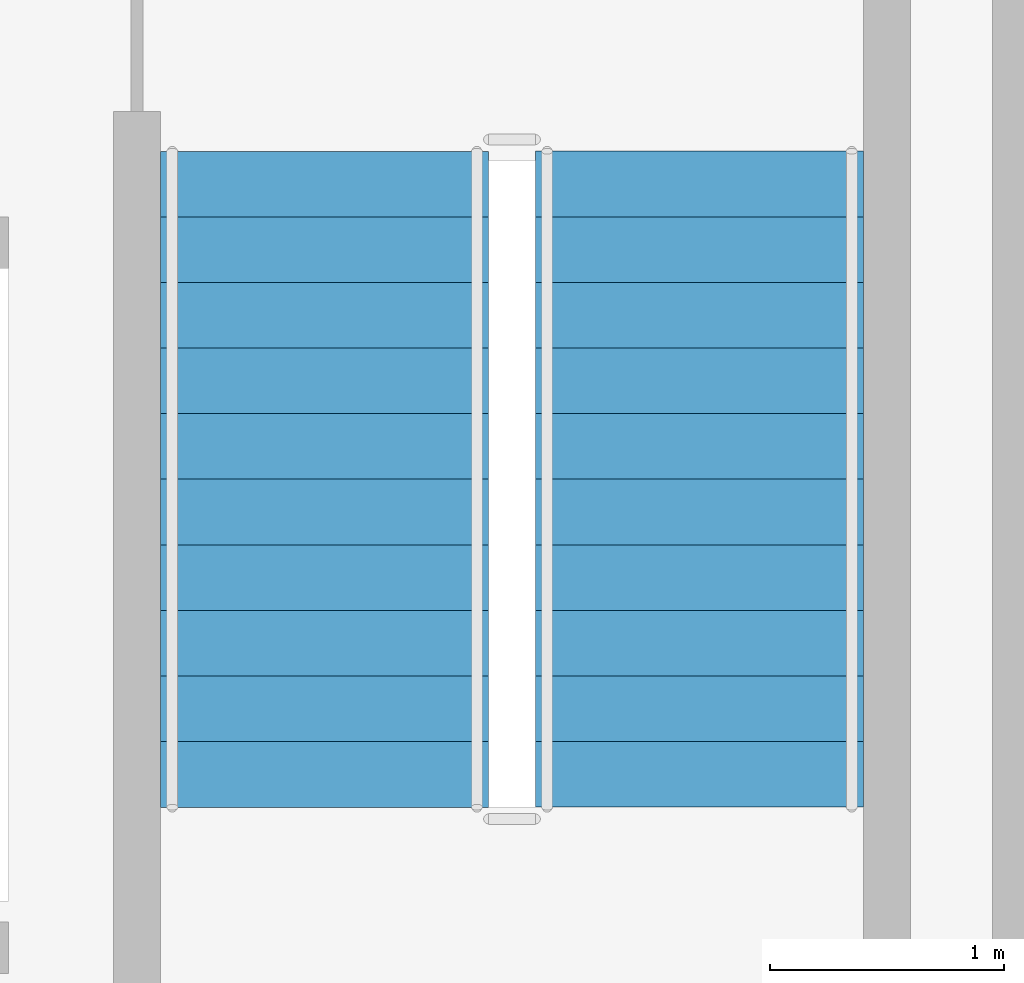
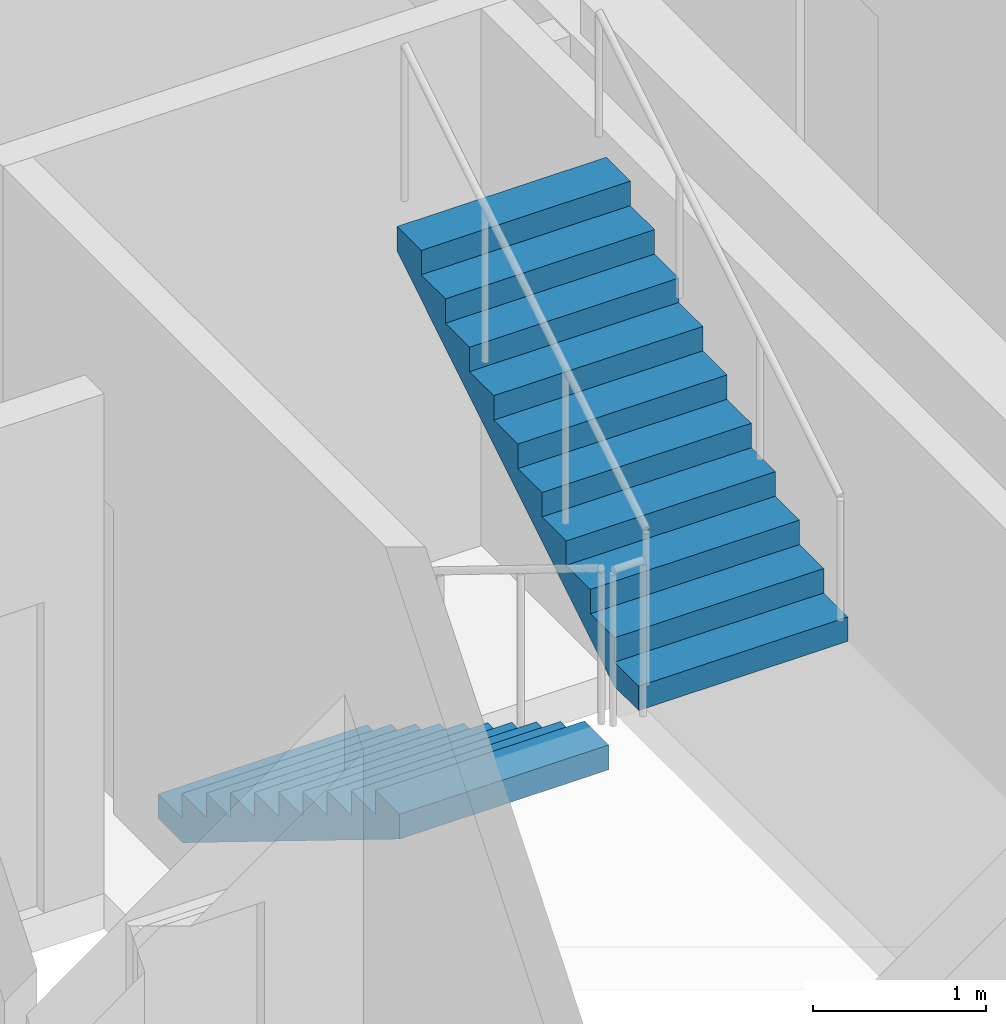
# One storey, part 15 of 16: 2 stair flights, 1 element without a shape of its own.
"""IFC4 building model written with IfcOpenShell, lengths in metres."""

from ifc_helpers import new_model, si_unit, direction, frame, origin, place, context, subcontext, project, spatial, polyline, outline, extrude, source, transform, mapped, material, type_object, element, aggregate, save


model = new_model("IFC4")

# Units and contexts
model_context = context("Model", 3, precision=1e-05, world=origin(), true_north=direction((0.0, 1.0)))
body_context = subcontext(model_context, "Body", "Model", "MODEL_VIEW")
ifc_project = project(units=[si_unit("LENGTHUNIT", "METRE"), si_unit("AREAUNIT", "SQUARE_METRE"), si_unit("VOLUMEUNIT", "CUBIC_METRE"), si_unit("PLANEANGLEUNIT", "RADIAN"), si_unit("MASSUNIT", "GRAM", prefix="KILO")], contexts=[model_context])

# Site, building, storey
site_placement = place(None, origin())
site = spatial("IfcSite", under=ifc_project, at=site_placement, CompositionType="ELEMENT")
building_placement = place(site_placement, origin())
building = spatial("IfcBuilding", under=site, at=building_placement, Name="Nefas-Gora Pilgrimage Tower", CompositionType="ELEMENT")
storey_placement = place(building_placement, frame((0.0, 0.0, 333.800048828125)))
storey = spatial("IfcBuildingStorey", under=building, at=storey_placement, Name="L84", CompositionType="ELEMENT", Elevation=333.800048828125)

# Stair, stair flights
ifc_material = material(Name="Concrete C45/55", Category="concrete")
stair_type = type_object("IfcStairType", Name="STR-1400-R1727", PredefinedType="HALF_TURN_STAIR", material=ifc_material)
stair_placement = place(storey_placement, origin())
stair = element("IfcStair", 1, at=stair_placement, inside=storey, type_object=stair_type, Name="L84 Pressurised Tower Exit Stair ST-02", PredefinedType="HALF_TURN_STAIR")
stair_flight_type = type_object("IfcStairFlightType", Name="STF-1400-R1727", PredefinedType="STRAIGHT", material=ifc_material)
shared_shape = source(origin(), body_context, "Body", "SweptSolid", [
    extrude(outline(polyline([(0.0, 0.0), (0.0, 0.172607421875), (0.280029296875, 0.172607421875), (0.280029296875, 0.345458984375), (0.56005859375, 0.345458984375), (0.56005859375, 0.51806640625), (0.840087890625, 0.51806640625), (0.840087890625, 0.69091796875), (1.1201171875, 0.69091796875), (1.1201171875, 0.863525390625), (1.39990234375, 0.863525390625), (1.39990234375, 1.036376953125), (1.679931640625, 1.036376953125), (1.679931640625, 1.208984375), (1.9599609375, 1.208984375), (1.9599609375, 1.3818359375), (2.239990234375, 1.3818359375), (2.239990234375, 1.554443359375), (2.52001953125, 1.554443359375), (2.52001953125, 1.727294921875), (2.800048828125, 1.727294921875), (2.800048828125, 1.89990234375), (2.800048828125, 1.551025390625), (0.285400390625, 0.0), (0.0, 0.0)])), frame((0.0, 0.699951171875, 0.0), z_axis=(0.0, -1.0, 0.0), x_axis=(1.0, 0.0, 0.0)), (0.0, 0.0, 1.0), 1.39990234375),
])
stair_flight_1_placement = place(storey_placement, frame((8.199951171875, -2.60009765625, 0.0), z_axis=(0.0, 0.0, 1.0), x_axis=(0.0, -1.0, 0.0)))
stair_flight_1 = element("IfcStairFlight", 2, at=stair_flight_1_placement, type_object=stair_flight_type, Name="ST-02 flight 1", NumberOfRisers=11, NumberOfTreads=10, PredefinedType="STRAIGHT", RiserHeight=0.172727273, TreadLength=0.28, context=body_context, shape_type="MappedRepresentation", body=[
    mapped(shared_shape, transform((0.0, 0.0, 0.0), x_axis=(1.0, 0.0, 0.0), y_axis=(0.0, 1.0, 0.0), z_axis=(0.0, 0.0, 1.0), scale=1.0)),
])
stair_flight_2_placement = place(storey_placement, frame((9.800048828125, -5.39990234375, 1.89990234375), z_axis=(0.0, 0.0, 1.0), x_axis=(0.0, 1.0, 0.0)))
stair_flight_2 = element("IfcStairFlight", 3, at=stair_flight_2_placement, type_object=stair_flight_type, Name="ST-02 flight 2", NumberOfRisers=11, NumberOfTreads=10, PredefinedType="STRAIGHT", RiserHeight=0.172727273, TreadLength=0.28, context=body_context, shape_type="MappedRepresentation", body=[
    mapped(shared_shape, transform((0.0, 0.0, 0.0), x_axis=(1.0, 0.0, 0.0), y_axis=(0.0, 1.0, 0.0), z_axis=(0.0, 0.0, 1.0), scale=1.0)),
])
aggregate(stair, [stair_flight_1, stair_flight_2])

save(model, "model.ifc")
